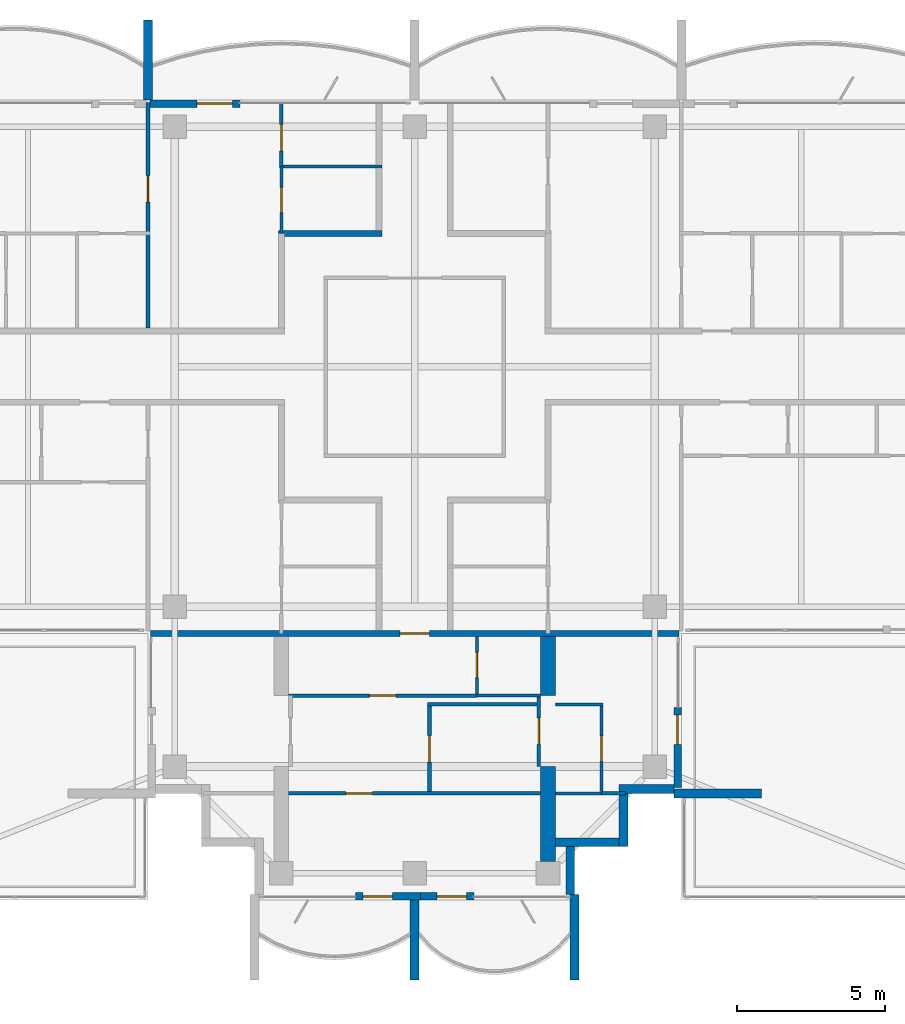
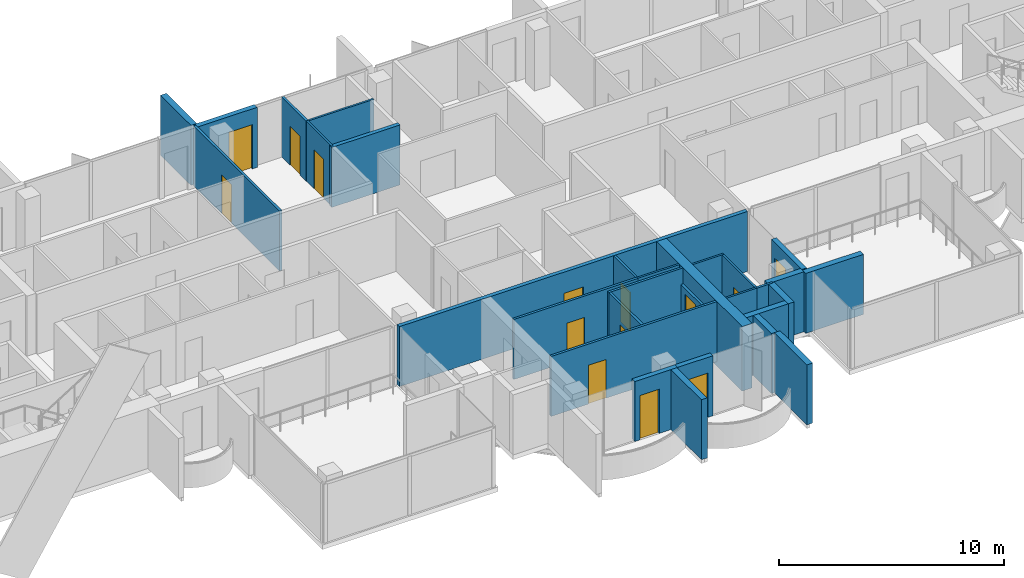
# One storey, part 9 of 16: 30 walls, 14 doors, 14 openings.
"""IFC4 building model written with IfcOpenShell, lengths in metres."""

from ifc_helpers import new_model, si_unit, direction, frame, frame_2d, origin, place, context, subcontext, project, spatial, polyline, rectangle, outline, extrude, material, layer, layer_set, material_profile, profile_set, type_object, element, fill, save


model = new_model("IFC4")

# Units and contexts
model_context = context("Model", 3, precision=1e-05, world=origin(), true_north=direction((0.0, 1.0)))
body_context = subcontext(model_context, "Body", "Model", "MODEL_VIEW")
ifc_project = project(units=[si_unit("LENGTHUNIT", "METRE"), si_unit("AREAUNIT", "SQUARE_METRE"), si_unit("VOLUMEUNIT", "CUBIC_METRE"), si_unit("PLANEANGLEUNIT", "RADIAN"), si_unit("MASSUNIT", "GRAM", prefix="KILO")], contexts=[model_context])

# Site, building, storey
site_placement = place(None, origin())
site = spatial("IfcSite", under=ifc_project, at=site_placement, CompositionType="ELEMENT")
building_placement = place(site_placement, origin())
building = spatial("IfcBuilding", under=site, at=building_placement, Name="Perihelion Cross Residences", CompositionType="ELEMENT")
storey_placement = place(building_placement, frame((0.0, 0.0, 239.5)))
storey = spatial("IfcBuildingStorey", under=building, at=storey_placement, Name="L60", CompositionType="ELEMENT", Elevation=239.5)

# Wall
ifc_material_1 = material(Name="Plasterboard partition")
ifc_layer_1 = layer(ifc_material_1, 0.199951171875)
ifc_layer_set_1 = layer_set([ifc_layer_1], Name="Apartment separation wall 200")
wall_type_1 = type_object("IfcWallType", Name="Apartment separation wall 200", PredefinedType="PARTITIONING", material=ifc_layer_set_1)
wall_1_placement = place(storey_placement, frame((-4.60009765625, 4.5, 0.0), z_axis=(0.0, 0.0, 1.0), x_axis=(1.0, 0.0, 0.0)))
element("IfcWall", 1, at=wall_1_placement, inside=storey, type_object=wall_type_1, Name="Partition L60 W015", PredefinedType="PARTITIONING", context=body_context, shape_type="SweptSolid", body=[
    extrude(rectangle(XDim=3.5, YDim=0.199951171875, at=frame_2d((1.75, 0.0))), origin(), (0.0, 0.0, 1.0), 3.25),
])

# Wall, opening, door
wall_2_placement = place(storey_placement, frame((8.919921875, -9.0, 0.0), z_axis=(0.0, 0.0, 1.0), x_axis=(-1.0, 0.0, 0.0)))
wall_2 = element("IfcWall", 2, at=wall_2_placement, inside=storey, type_object=wall_type_1, Name="Partition L60 W021", PredefinedType="PARTITIONING", context=body_context, shape_type="SweptSolid", body=[
    extrude(rectangle(XDim=17.83984375, YDim=0.199951171875, at=frame_2d((8.919921875, 0.0))), origin(), (0.0, 0.0, 1.0), 3.25),
])
opening_1_placement = place(wall_2_placement, frame((8.419921875, 0.0, 0.0)))
opening_1 = element("IfcOpeningElement", 3, at=opening_1_placement, cuts=wall_2, Name="Opening L60.A33", PredefinedType="OPENING", context=body_context, shape_type="SweptSolid", body=[
    extrude(rectangle(XDim=1.0, YDim=2.10009765625, at=frame_2d((0.5, 1.050048828125))), frame((0.0, 0.10986328125, 0.0), z_axis=(0.0, -1.0, 0.0), x_axis=(1.0, 0.0, 0.0)), (0.0, 0.0, 1.0), 0.219970703125),
])
ifc_material_2 = material(Name="Timber door leaf", Category="wood")
door_type_1 = type_object("IfcDoorType", Name="Flat entrance door 1000 x 2100", OperationType="SINGLE_SWING_LEFT", PredefinedType="DOOR", material=ifc_material_2)
door_1_placement = place(opening_1_placement, origin())
door_1 = element("IfcDoor", 4, at=door_1_placement, inside=storey, type_object=door_type_1, Name="Door L60.A33", OperationType="SINGLE_SWING_LEFT", OverallHeight=2.10009765625, OverallWidth=1.0, PredefinedType="DOOR", context=body_context, shape_type="SweptSolid", body=[
    extrude(rectangle(XDim=1.0, YDim=2.10009765625, at=frame_2d((0.5, 1.050048828125))), frame((0.0, 0.02490234375, 0.0), z_axis=(0.0, -1.0, 0.0), x_axis=(1.0, 0.0, 0.0)), (0.0, 0.0, 1.0), 0.050048828125),
])
fill(opening_1, door_1)

ifc_material_3 = material(Name="Concrete C30/37, bronze-clad", Category="concrete")
ifc_layer_2 = layer(ifc_material_3, 0.25)
ifc_layer_set_2 = layer_set([ifc_layer_2], Name="Bronze-clad pier wall 250")
wall_type_2 = type_object("IfcWallType", Name="Bronze-clad pier wall 250", PredefinedType="SOLIDWALL", material=ifc_layer_set_2)
wall_3_placement = place(storey_placement, frame((-5.89990234375, 8.875, 0.0), z_axis=(0.0, 0.0, 1.0), x_axis=(-1.0, 0.0, 0.0)))
wall_3 = element("IfcWall", 5, at=wall_3_placement, inside=storey, type_object=wall_type_2, Name="Wall FW1 L60 north side east bay 2 pier", PredefinedType="SOLIDWALL", context=body_context, shape_type="SweptSolid", body=[
    extrude(rectangle(XDim=3.0400390625, YDim=0.25, at=frame_2d((1.52001953125, 0.0))), origin(), (0.0, 0.0, 1.0), 3.25),
])
opening_2_placement = place(wall_3_placement, frame((0.25, 0.0, 0.0)))
opening_2 = element("IfcOpeningElement", 6, at=opening_2_placement, cuts=wall_3, Name="Opening L60.E04", PredefinedType="OPENING", context=body_context, shape_type="SweptSolid", body=[
    extrude(rectangle(XDim=1.199951171875, YDim=2.39990234375, at=frame_2d((0.60009765625, 1.199951171875))), frame((0.0, 0.135009765625, 0.0), z_axis=(0.0, -1.0, 0.0), x_axis=(1.0, 0.0, 0.0)), (0.0, 0.0, 1.0), 0.27001953125),
])
ifc_material_4 = material(Name="Bronze anodised aluminium, glazed", Category="aluminium")
door_type_2 = type_object("IfcDoorType", Name="Balcony door 1200 x 2400", OperationType="NOTDEFINED", PredefinedType="DOOR", material=ifc_material_4)
door_2_placement = place(opening_2_placement, origin())
door_2 = element("IfcDoor", 7, at=door_2_placement, inside=storey, type_object=door_type_2, Name="Door L60.E04 north side east bay 2", OperationType="SINGLE_SWING_RIGHT", OverallHeight=2.39990234375, OverallWidth=1.199951171875, PredefinedType="DOOR", context=body_context, shape_type="SweptSolid", body=[
    extrude(rectangle(XDim=1.199951171875, YDim=2.39990234375, at=frame_2d((0.60009765625, 1.199951171875))), frame((0.0, 0.02490234375, 0.0), z_axis=(0.0, -1.0, 0.0), x_axis=(1.0, 0.0, 0.0)), (0.0, 0.0, 1.0), 0.050048828125),
])
fill(opening_2, door_2)

wall_4_placement = place(storey_placement, frame((-2.0, -17.875, 0.0), z_axis=(0.0, 0.0, 1.0), x_axis=(1.0, 0.0, 0.0)))
wall_4 = element("IfcWall", 8, at=wall_4_placement, inside=storey, type_object=wall_type_2, Name="Wall FW1 L60 south tip south bay 1 pier", PredefinedType="SOLIDWALL", context=body_context, shape_type="SweptSolid", body=[
    extrude(rectangle(XDim=2.199951171875, YDim=0.25, at=frame_2d((1.10009765625, 0.0))), origin(), (0.0, 0.0, 1.0), 3.25),
])
opening_3_placement = place(wall_4_placement, frame((0.25, 0.0, 0.0)))
opening_3 = element("IfcOpeningElement", 9, at=opening_3_placement, cuts=wall_4, Name="Opening L60.E10", PredefinedType="OPENING", context=body_context, shape_type="SweptSolid", body=[
    extrude(rectangle(XDim=1.0, YDim=2.39990234375, at=frame_2d((0.5, 1.199951171875))), frame((0.0, 0.135009765625, 0.0), z_axis=(0.0, -1.0, 0.0), x_axis=(1.0, 0.0, 0.0)), (0.0, 0.0, 1.0), 0.27001953125),
])
ifc_material_5 = material(Name="Bronze anodised aluminium, glazed", Category="aluminium")
door_type_3 = type_object("IfcDoorType", Name="Balcony door 1000 x 2400", OperationType="NOTDEFINED", PredefinedType="DOOR", material=ifc_material_5)
door_3_placement = place(opening_3_placement, origin())
door_3 = element("IfcDoor", 10, at=door_3_placement, inside=storey, type_object=door_type_3, Name="Door L60.E10 south tip south bay 1", OperationType="SINGLE_SWING_RIGHT", OverallHeight=2.39990234375, OverallWidth=1.0, PredefinedType="DOOR", context=body_context, shape_type="SweptSolid", body=[
    extrude(rectangle(XDim=1.0, YDim=2.39990234375, at=frame_2d((0.5, 1.199951171875))), frame((0.0, 0.02490234375, 0.0), z_axis=(0.0, -1.0, 0.0), x_axis=(1.0, 0.0, 0.0)), (0.0, 0.0, 1.0), 0.050048828125),
])
fill(opening_3, door_3)

wall_5_placement = place(storey_placement, frame((0.199951171875, -17.875, 0.0), z_axis=(0.0, 0.0, 1.0), x_axis=(1.0, 0.0, 0.0)))
wall_5 = element("IfcWall", 11, at=wall_5_placement, inside=storey, type_object=wall_type_2, Name="Wall FW1 L60 south tip south bay 2 pier", PredefinedType="SOLIDWALL", context=body_context, shape_type="SweptSolid", body=[
    extrude(rectangle(XDim=1.800048828125, YDim=0.25, at=frame_2d((0.89990234375, 0.0))), origin(), (0.0, 0.0, 1.0), 3.25),
])
opening_4_placement = place(wall_5_placement, frame((0.550048828125, 0.0, 0.0)))
opening_4 = element("IfcOpeningElement", 12, at=opening_4_placement, cuts=wall_5, Name="Opening L60.E11", PredefinedType="OPENING", context=body_context, shape_type="SweptSolid", body=[
    extrude(rectangle(XDim=1.0, YDim=2.39990234375, at=frame_2d((0.5, 1.199951171875))), frame((0.0, 0.135009765625, 0.0), z_axis=(0.0, -1.0, 0.0), x_axis=(1.0, 0.0, 0.0)), (0.0, 0.0, 1.0), 0.27001953125),
])
door_4_placement = place(opening_4_placement, origin())
door_4 = element("IfcDoor", 13, at=door_4_placement, inside=storey, type_object=door_type_3, Name="Door L60.E11 south tip south bay 2", OperationType="SINGLE_SWING_LEFT", OverallHeight=2.39990234375, OverallWidth=1.0, PredefinedType="DOOR", context=body_context, shape_type="SweptSolid", body=[
    extrude(rectangle(XDim=1.0, YDim=2.39990234375, at=frame_2d((0.5, 1.199951171875))), frame((0.0, 0.02490234375, 0.0), z_axis=(0.0, -1.0, 0.0), x_axis=(1.0, 0.0, 0.0)), (0.0, 0.0, 1.0), 0.050048828125),
])
fill(opening_4, door_4)

wall_6_placement = place(storey_placement, frame((8.875, -14.199951171875, 0.0), z_axis=(0.0, 0.0, 1.0), x_axis=(0.0, 1.0, 0.0)))
wall_6 = element("IfcWall", 14, at=wall_6_placement, inside=storey, type_object=wall_type_2, Name="Wall FW1 L60 south side east bay 1 pier", PredefinedType="SOLIDWALL", context=body_context, shape_type="SweptSolid", body=[
    extrude(rectangle(XDim=2.699951171875, YDim=0.25, at=frame_2d((1.35009765625, 0.0))), origin(), (0.0, 0.0, 1.0), 3.25),
])
opening_5_placement = place(wall_6_placement, frame((1.449951171875, 0.0, 0.0)))
opening_5 = element("IfcOpeningElement", 15, at=opening_5_placement, cuts=wall_6, Name="Opening L60.E12", PredefinedType="OPENING", context=body_context, shape_type="SweptSolid", body=[
    extrude(rectangle(XDim=1.0, YDim=2.39990234375, at=frame_2d((0.5, 1.199951171875))), frame((0.0, 0.135009765625, 0.0), z_axis=(0.0, -1.0, 0.0), x_axis=(1.0, 0.0, 0.0)), (0.0, 0.0, 1.0), 0.27001953125),
])
door_5_placement = place(opening_5_placement, origin())
door_5 = element("IfcDoor", 16, at=door_5_placement, inside=storey, type_object=door_type_3, Name="Door L60.E12 south side east bay 1", OperationType="SINGLE_SWING_RIGHT", OverallHeight=2.39990234375, OverallWidth=1.0, PredefinedType="DOOR", context=body_context, shape_type="SweptSolid", body=[
    extrude(rectangle(XDim=1.0, YDim=2.39990234375, at=frame_2d((0.5, 1.199951171875))), frame((0.0, 0.02490234375, 0.0), z_axis=(0.0, -1.0, 0.0), x_axis=(1.0, 0.0, 0.0)), (0.0, 0.0, 1.0), 0.050048828125),
])
fill(opening_5, door_5)

# Walls
ifc_material_6 = material(Name="Concrete C30/37, bronze-clad", Category="concrete")
ifc_layer_3 = layer(ifc_material_6, 0.300048828125)
ifc_layer_set_3 = layer_set([ifc_layer_3], Name="Bronze-clad serration wall 300")
wall_type_3 = type_object("IfcWallType", Name="Bronze-clad serration wall 300", PredefinedType="SOLIDWALL", material=ifc_layer_set_3)
wall_7_placement = place(storey_placement, frame((5.25, -17.820068359375, 0.0), z_axis=(0.0, 0.0, 1.0), x_axis=(0.0, 1.0, 0.0)))
element("IfcWall", 17, at=wall_7_placement, inside=storey, type_object=wall_type_3, Name="Wall SR1 L60 south corner south-east 1", PredefinedType="SOLIDWALL", context=body_context, shape_type="SweptSolid", body=[
    extrude(rectangle(XDim=1.6201171875, YDim=0.300048828125, at=frame_2d((0.81005859375, 0.0))), origin(), (0.0, 0.0, 1.0), 3.25),
])
wall_8_placement = place(storey_placement, frame((4.75, -16.050048828125, 0.0), z_axis=(0.0, 0.0, 1.0), x_axis=(1.0, 0.0, 0.0)))
element("IfcWall", 18, at=wall_8_placement, inside=storey, type_object=wall_type_3, Name="Wall SR1 L60 south corner south-east 2", PredefinedType="SOLIDWALL", context=body_context, shape_type="SweptSolid", body=[
    extrude(rectangle(XDim=2.14990234375, YDim=0.300048828125, at=frame_2d((1.074951171875, 0.0))), origin(), (0.0, 0.0, 1.0), 3.25),
])
wall_9_placement = place(storey_placement, frame((7.050048828125, -16.199951171875, 0.0), z_axis=(0.0, 0.0, 1.0), x_axis=(0.0, 1.0, 0.0)))
element("IfcWall", 19, at=wall_9_placement, inside=storey, type_object=wall_type_3, Name="Wall SR1 L60 south corner south-east 3", PredefinedType="SOLIDWALL", context=body_context, shape_type="SweptSolid", body=[
    extrude(rectangle(XDim=1.800048828125, YDim=0.300048828125, at=frame_2d((0.89990234375, 0.0))), origin(), (0.0, 0.0, 1.0), 3.25),
])
wall_10_placement = place(storey_placement, frame((6.89990234375, -14.25, 0.0), z_axis=(0.0, 0.0, 1.0), x_axis=(1.0, 0.0, 0.0)))
element("IfcWall", 20, at=wall_10_placement, inside=storey, type_object=wall_type_3, Name="Wall SR1 L60 south corner south-east 4", PredefinedType="SOLIDWALL", context=body_context, shape_type="SweptSolid", body=[
    extrude(rectangle(XDim=1.85009765625, YDim=0.300048828125, at=frame_2d((0.925048828125, 0.0))), origin(), (0.0, 0.0, 1.0), 3.25),
])

# Wall, opening, door
ifc_material_7 = material(Name="Plasterboard partition")
ifc_layer_4 = layer(ifc_material_7, 0.1201171875)
ifc_layer_set_4 = layer_set([ifc_layer_4], Name="Infill panel 120")
wall_type_4 = type_object("IfcWallType", Name="Infill panel 120", PredefinedType="PARTITIONING", material=ifc_layer_set_4)
wall_11_placement = place(storey_placement, frame((4.18994140625, -11.10009765625, 0.0), z_axis=(0.0, 0.0, 1.0), x_axis=(0.0, -1.0, 0.0)))
wall_11 = element("IfcWall", 21, at=wall_11_placement, inside=storey, type_object=wall_type_4, Name="Partition L60 WI01", PredefinedType="PARTITIONING", context=body_context, shape_type="SweptSolid", body=[
    extrude(rectangle(XDim=2.39990234375, YDim=0.1201171875, at=frame_2d((1.199951171875, 0.0))), origin(), (0.0, 0.0, 1.0), 2.39990234375),
])
opening_6_placement = place(wall_11_placement, frame((0.75, 0.0, 0.0)))
opening_6 = element("IfcOpeningElement", 22, at=opening_6_placement, cuts=wall_11, Name="Opening L60.A43", PredefinedType="OPENING", context=body_context, shape_type="SweptSolid", body=[
    extrude(rectangle(XDim=0.89990234375, YDim=2.10009765625, at=frame_2d((0.449951171875, 1.050048828125))), frame((0.0, 0.070068359375, 0.0), z_axis=(0.0, -1.0, 0.0), x_axis=(1.0, 0.0, 0.0)), (0.0, 0.0, 1.0), 0.14013671875),
])
ifc_material_8 = material(Name="Timber door leaf", Category="wood")
door_type_4 = type_object("IfcDoorType", Name="Interior room door 900 x 2100", OperationType="SINGLE_SWING_LEFT", PredefinedType="DOOR", material=ifc_material_8)
door_6_placement = place(opening_6_placement, origin())
door_6 = element("IfcDoor", 23, at=door_6_placement, inside=storey, type_object=door_type_4, Name="Door L60.A43", OperationType="SINGLE_SWING_RIGHT", OverallHeight=2.10009765625, OverallWidth=0.89990234375, PredefinedType="DOOR", context=body_context, shape_type="SweptSolid", body=[
    extrude(rectangle(XDim=0.89990234375, YDim=2.10009765625, at=frame_2d((0.449951171875, 1.050048828125))), frame((0.0, 0.02490234375, 0.0), z_axis=(0.0, -1.0, 0.0), x_axis=(1.0, 0.0, 0.0)), (0.0, 0.0, 1.0), 0.050048828125),
])
fill(opening_6, door_6)

ifc_material_9 = material(Name="Plasterboard partition")
ifc_layer_5 = layer(ifc_material_9, 0.1201171875)
ifc_layer_set_5 = layer_set([ifc_layer_5], Name="Partition wall 120")
wall_type_5 = type_object("IfcWallType", Name="Partition wall 120", PredefinedType="PARTITIONING", material=ifc_layer_set_5)
wall_12_placement = place(storey_placement, frame((-9.0, 8.919921875, 0.0), z_axis=(0.0, 0.0, 1.0), x_axis=(0.0, -1.0, 0.0)))
wall_12 = element("IfcWall", 24, at=wall_12_placement, inside=storey, type_object=wall_type_5, Name="Partition L60 W045", PredefinedType="PARTITIONING", context=body_context, shape_type="SweptSolid", body=[
    extrude(rectangle(XDim=7.619873046875, YDim=0.1201171875, at=frame_2d((3.81005859375, 0.0))), origin(), (0.0, 0.0, 1.0), 3.25),
])
opening_7_placement = place(wall_12_placement, frame((2.469970703125, 0.0, 0.0)))
opening_7 = element("IfcOpeningElement", 25, at=opening_7_placement, cuts=wall_12, Name="Opening L60.A21", PredefinedType="OPENING", context=body_context, shape_type="SweptSolid", body=[
    extrude(rectangle(XDim=0.89990234375, YDim=2.10009765625, at=frame_2d((0.449951171875, 1.050048828125))), frame((0.0, 0.070068359375, 0.0), z_axis=(0.0, -1.0, 0.0), x_axis=(1.0, 0.0, 0.0)), (0.0, 0.0, 1.0), 0.14013671875),
])
door_7_placement = place(opening_7_placement, origin())
door_7 = element("IfcDoor", 26, at=door_7_placement, inside=storey, type_object=door_type_4, Name="Door L60.A21", OperationType="SINGLE_SWING_LEFT", OverallHeight=2.10009765625, OverallWidth=0.89990234375, PredefinedType="DOOR", context=body_context, shape_type="SweptSolid", body=[
    extrude(rectangle(XDim=0.89990234375, YDim=2.10009765625, at=frame_2d((0.449951171875, 1.050048828125))), frame((0.0, 0.02490234375, 0.0), z_axis=(0.0, -1.0, 0.0), x_axis=(1.0, 0.0, 0.0)), (0.0, 0.0, 1.0), 0.050048828125),
])
fill(opening_7, door_7)

wall_13_placement = place(storey_placement, frame((-4.5, 8.919921875, 0.0), z_axis=(0.0, 0.0, 1.0), x_axis=(0.0, -1.0, 0.0)))
wall_13 = element("IfcWall", 27, at=wall_13_placement, inside=storey, type_object=wall_type_5, Name="Partition L60 W052", PredefinedType="PARTITIONING", context=body_context, shape_type="SweptSolid", body=[
    extrude(rectangle(XDim=2.169921875, YDim=0.1201171875, at=frame_2d((1.0849609375, 0.0))), origin(), (0.0, 0.0, 1.0), 3.25),
])
opening_8_placement = place(wall_13_placement, frame((0.7451171875, 0.0, 0.0)))
opening_8 = element("IfcOpeningElement", 28, at=opening_8_placement, cuts=wall_13, Name="Opening L60.A20", PredefinedType="OPENING", context=body_context, shape_type="SweptSolid", body=[
    extrude(rectangle(XDim=0.89990234375, YDim=2.10009765625, at=frame_2d((0.449951171875, 1.050048828125))), frame((0.0, 0.070068359375, 0.0), z_axis=(0.0, -1.0, 0.0), x_axis=(1.0, 0.0, 0.0)), (0.0, 0.0, 1.0), 0.14013671875),
])
door_8_placement = place(opening_8_placement, origin())
door_8 = element("IfcDoor", 29, at=door_8_placement, inside=storey, type_object=door_type_4, Name="Door L60.A20", OperationType="SINGLE_SWING_RIGHT", OverallHeight=2.10009765625, OverallWidth=0.89990234375, PredefinedType="DOOR", context=body_context, shape_type="SweptSolid", body=[
    extrude(rectangle(XDim=0.89990234375, YDim=2.10009765625, at=frame_2d((0.449951171875, 1.050048828125))), frame((0.0, 0.02490234375, 0.0), z_axis=(0.0, -1.0, 0.0), x_axis=(1.0, 0.0, 0.0)), (0.0, 0.0, 1.0), 0.050048828125),
])
fill(opening_8, door_8)

wall_14_placement = place(storey_placement, frame((2.10009765625, -11.10009765625, 0.0), z_axis=(0.0, 0.0, 1.0), x_axis=(-1.0, 0.0, 0.0)))
wall_14 = element("IfcWall", 30, at=wall_14_placement, inside=storey, type_object=wall_type_5, Name="Partition L60 W066", PredefinedType="PARTITIONING", context=body_context, shape_type="SweptSolid", body=[
    extrude(rectangle(XDim=6.35009765625, YDim=0.1201171875, at=frame_2d((3.175048828125, 0.0))), origin(), (0.0, 0.0, 1.0), 3.25),
])
opening_9_placement = place(wall_14_placement, frame((2.72509765625, 0.0, 0.0)))
opening_9 = element("IfcOpeningElement", 31, at=opening_9_placement, cuts=wall_14, Name="Opening L60.A35", PredefinedType="OPENING", context=body_context, shape_type="SweptSolid", body=[
    extrude(rectangle(XDim=0.89990234375, YDim=2.10009765625, at=frame_2d((0.449951171875, 1.050048828125))), frame((0.0, 0.070068359375, 0.0), z_axis=(0.0, -1.0, 0.0), x_axis=(1.0, 0.0, 0.0)), (0.0, 0.0, 1.0), 0.14013671875),
])
door_9_placement = place(opening_9_placement, origin())
door_9 = element("IfcDoor", 32, at=door_9_placement, inside=storey, type_object=door_type_4, Name="Door L60.A35", OperationType="SINGLE_SWING_LEFT", OverallHeight=2.10009765625, OverallWidth=0.89990234375, PredefinedType="DOOR", context=body_context, shape_type="SweptSolid", body=[
    extrude(rectangle(XDim=0.89990234375, YDim=2.10009765625, at=frame_2d((0.449951171875, 1.050048828125))), frame((0.0, 0.02490234375, 0.0), z_axis=(0.0, -1.0, 0.0), x_axis=(1.0, 0.0, 0.0)), (0.0, 0.0, 1.0), 0.050048828125),
])
fill(opening_9, door_9)

# Wall
wall_15_placement = place(storey_placement, frame((4.25, -11.39990234375, 0.0), z_axis=(0.0, 0.0, 1.0), x_axis=(-1.0, 0.0, 0.0)))
element("IfcWall", 33, at=wall_15_placement, inside=storey, type_object=wall_type_5, Name="Partition L60 W068", PredefinedType="PARTITIONING", context=body_context, shape_type="SweptSolid", body=[
    extrude(rectangle(XDim=3.81005859375, YDim=0.1201171875, at=frame_2d((1.905029296875, 0.0))), origin(), (0.0, 0.0, 1.0), 3.25),
])

# Wall, opening, door
wall_16_placement = place(storey_placement, frame((0.5, -11.4599609375, 0.0), z_axis=(0.0, 0.0, 1.0), x_axis=(0.0, -1.0, 0.0)))
wall_16 = element("IfcWall", 34, at=wall_16_placement, inside=storey, type_object=wall_type_5, Name="Partition L60 W069", PredefinedType="PARTITIONING", context=body_context, shape_type="SweptSolid", body=[
    extrude(rectangle(XDim=2.880126953125, YDim=0.1201171875, at=frame_2d((1.43994140625, 0.0))), origin(), (0.0, 0.0, 1.0), 3.25),
])
opening_10_placement = place(wall_16_placement, frame((0.989990234375, 0.0, 0.0)))
opening_10 = element("IfcOpeningElement", 35, at=opening_10_placement, cuts=wall_16, Name="Opening L60.A36", PredefinedType="OPENING", context=body_context, shape_type="SweptSolid", body=[
    extrude(rectangle(XDim=0.89990234375, YDim=2.10009765625, at=frame_2d((0.449951171875, 1.050048828125))), frame((0.0, 0.070068359375, 0.0), z_axis=(0.0, -1.0, 0.0), x_axis=(1.0, 0.0, 0.0)), (0.0, 0.0, 1.0), 0.14013671875),
])
door_10_placement = place(opening_10_placement, origin())
door_10 = element("IfcDoor", 36, at=door_10_placement, inside=storey, type_object=door_type_4, Name="Door L60.A36", OperationType="SINGLE_SWING_LEFT", OverallHeight=2.10009765625, OverallWidth=0.89990234375, PredefinedType="DOOR", context=body_context, shape_type="SweptSolid", body=[
    extrude(rectangle(XDim=0.89990234375, YDim=2.10009765625, at=frame_2d((0.449951171875, 1.050048828125))), frame((0.0, 0.02490234375, 0.0), z_axis=(0.0, -1.0, 0.0), x_axis=(1.0, 0.0, 0.0)), (0.0, 0.0, 1.0), 0.050048828125),
])
fill(opening_10, door_10)

wall_17_placement = place(storey_placement, frame((4.25, -14.39990234375, 0.0), z_axis=(0.0, 0.0, 1.0), x_axis=(-1.0, 0.0, 0.0)))
wall_17 = element("IfcWall", 37, at=wall_17_placement, inside=storey, type_object=wall_type_5, Name="Partition L60 W070", PredefinedType="PARTITIONING", context=body_context, shape_type="SweptSolid", body=[
    extrude(rectangle(XDim=8.5, YDim=0.1201171875, at=frame_2d((4.25, 0.0))), origin(), (0.0, 0.0, 1.0), 3.25),
])
opening_11_placement = place(wall_17_placement, frame((5.675048828125, 0.0, 0.0)))
opening_11 = element("IfcOpeningElement", 38, at=opening_11_placement, cuts=wall_17, Name="Opening L60.A37", PredefinedType="OPENING", context=body_context, shape_type="SweptSolid", body=[
    extrude(rectangle(XDim=0.89990234375, YDim=2.10009765625, at=frame_2d((0.449951171875, 1.050048828125))), frame((0.0, 0.070068359375, 0.0), z_axis=(0.0, -1.0, 0.0), x_axis=(1.0, 0.0, 0.0)), (0.0, 0.0, 1.0), 0.14013671875),
])
door_11_placement = place(opening_11_placement, origin())
door_11 = element("IfcDoor", 39, at=door_11_placement, inside=storey, type_object=door_type_4, Name="Door L60.A37", OperationType="SINGLE_SWING_LEFT", OverallHeight=2.10009765625, OverallWidth=0.89990234375, PredefinedType="DOOR", context=body_context, shape_type="SweptSolid", body=[
    extrude(rectangle(XDim=0.89990234375, YDim=2.10009765625, at=frame_2d((0.449951171875, 1.050048828125))), frame((0.0, 0.02490234375, 0.0), z_axis=(0.0, -1.0, 0.0), x_axis=(1.0, 0.0, 0.0)), (0.0, 0.0, 1.0), 0.050048828125),
])
fill(opening_11, door_11)

# Walls
wall_18_placement = place(storey_placement, frame((7.1201171875, -14.39990234375, 0.0), z_axis=(0.0, 0.0, 1.0), x_axis=(-1.0, 0.0, 0.0)))
element("IfcWall", 40, at=wall_18_placement, inside=storey, type_object=wall_type_5, Name="Partition L60 W073", PredefinedType="PARTITIONING", context=body_context, shape_type="SweptSolid", body=[
    extrude(rectangle(XDim=0.820068359375, YDim=0.1201171875, at=frame_2d((0.41015625, 0.0))), origin(), (0.0, 0.0, 1.0), 3.25),
])
ifc_material_10 = material(Name="Precast concrete C50/60", Category="concrete")
ifc_layer_6 = layer(ifc_material_10, 0.300048828125)
ifc_layer_set_6 = layer_set([ifc_layer_6], Name="Precast concrete C50/60 blade wall 300")
wall_type_6 = type_object("IfcWallType", Name="Precast concrete C50/60 blade wall 300", PredefinedType="SOLIDWALL", material=ifc_layer_set_6)
for number, where, z_axis, x_axis, name in (
    (41, (-9.0, 9.0, 0.0), (0.0, 0.0, 1.0), (0.0, 1.0, 0.0), "Wall BL1 L60 no. 7"),
    (42, (0.0, -18.0, 0.0), (0.0, 0.0, 1.0), (0.0, -1.0, 0.0), "Wall BL1 L60 no. 8"),
):
    element("IfcWall", number, at=place(storey_placement, frame(where, z_axis=z_axis, x_axis=x_axis)), inside=storey, type_object=wall_type_6, Name=name, PredefinedType="SOLIDWALL", context=body_context, shape_type="SweptSolid", body=[
        extrude(rectangle(XDim=2.699951171875, YDim=0.300048828125, at=frame_2d((1.35009765625, 0.0))), origin(), (0.0, 0.0, 1.0), 3.25),
    ])
wall_19_placement = place(storey_placement, frame((5.39990234375, -17.820068359375, 0.0), z_axis=(0.0, 0.0, 1.0), x_axis=(0.0, -1.0, 0.0)))
element("IfcWall", 43, at=wall_19_placement, inside=storey, type_object=wall_type_6, Name="Wall BL1 L60 no. 14", PredefinedType="SOLIDWALL", context=body_context, shape_type="SweptSolid", body=[
    extrude(rectangle(XDim=2.8798828125, YDim=0.300048828125, at=frame_2d((1.43994140625, 0.0))), origin(), (0.0, 0.0, 1.0), 3.25),
])
wall_20_placement = place(storey_placement, frame((8.75, -14.39990234375, 0.0), z_axis=(0.0, 0.0, 1.0), x_axis=(1.0, 0.0, 0.0)))
element("IfcWall", 44, at=wall_20_placement, inside=storey, type_object=wall_type_6, Name="Wall BL1 L60 no. 15", PredefinedType="SOLIDWALL", context=body_context, shape_type="SweptSolid", body=[
    extrude(rectangle(XDim=2.949951171875, YDim=0.300048828125, at=frame_2d((1.47509765625, 0.0))), origin(), (0.0, 0.0, 1.0), 3.25),
])
ifc_material_11 = material(Name="Concrete C50/60", Category="concrete")
ifc_material_profile = material_profile(ifc_material_11, outline(polyline([(0.0, 0.0), (3.199951171875, 0.0), (3.199951171875, 2.64990234375), (5.60009765625, 2.64990234375), (5.60009765625, 0.0), (7.699951171875, 0.0), (7.699951171875, 3.5), (0.0, 3.5), (0.0, 0.0)])), Name="Tip spine wall")
ifc_profile_set = profile_set([ifc_material_profile], Name="Concrete C50/60")
wall_type_7 = type_object("IfcWallType", Name="Tip spine wall 500 with 1 door openings 7700 long 3500 high concrete C50/60", PredefinedType="SHEAR", material=ifc_profile_set)
wall_21_placement = place(storey_placement, frame((4.25, -16.699951171875, -0.25), z_axis=(1.0, 0.0, 0.0), x_axis=(0.0, 1.0, 0.0)))
element("IfcWall", 45, at=wall_21_placement, inside=storey, type_object=wall_type_7, Name="Shear wall SW45 L60 south east", PredefinedType="SHEAR", context=body_context, shape_type="SweptSolid", body=[
    extrude(outline(polyline([(0.0, 0.0), (3.199951171875, 0.0), (3.199951171875, 2.64990234375), (5.60009765625, 2.64990234375), (5.60009765625, 0.0), (7.699951171875, 0.0), (7.699951171875, 3.5), (0.0, 3.5), (0.0, 0.0)])), origin(), (0.0, 0.0, 1.0), 0.5),
])

# Wall, opening, door
ifc_material_12 = material(Name="Plasterboard partition")
ifc_layer_7 = layer(ifc_material_12, 0.10009765625)
ifc_layer_set_7 = layer_set([ifc_layer_7], Name="Wet room wall 100")
wall_type_8 = type_object("IfcWallType", Name="Wet room wall 100", PredefinedType="PARTITIONING", material=ifc_layer_set_7)
wall_22_placement = place(storey_placement, frame((-4.5, 6.75, 0.0), z_axis=(0.0, 0.0, 1.0), x_axis=(0.0, -1.0, 0.0)))
wall_22 = element("IfcWall", 46, at=wall_22_placement, inside=storey, type_object=wall_type_8, Name="Partition L60 W051", PredefinedType="PARTITIONING", context=body_context, shape_type="SweptSolid", body=[
    extrude(rectangle(XDim=2.25, YDim=0.10009765625, at=frame_2d((1.125, 0.0))), origin(), (0.0, 0.0, 1.0), 3.25),
])
opening_12_placement = place(wall_22_placement, frame((0.699951171875, 0.0, 0.0)))
opening_12 = element("IfcOpeningElement", 47, at=opening_12_placement, cuts=wall_22, Name="Opening L60.A22", PredefinedType="OPENING", context=body_context, shape_type="SweptSolid", body=[
    extrude(rectangle(XDim=0.85009765625, YDim=2.10009765625, at=frame_2d((0.425048828125, 1.050048828125))), frame((0.0, 0.06005859375, 0.0), z_axis=(0.0, -1.0, 0.0), x_axis=(1.0, 0.0, 0.0)), (0.0, 0.0, 1.0), 0.1201171875),
])
ifc_material_13 = material(Name="Timber door leaf", Category="wood")
door_type_5 = type_object("IfcDoorType", Name="Interior bathroom door 850 x 2100", OperationType="SINGLE_SWING_LEFT", PredefinedType="DOOR", material=ifc_material_13)
door_12_placement = place(opening_12_placement, origin())
door_12 = element("IfcDoor", 48, at=door_12_placement, inside=storey, type_object=door_type_5, Name="Door L60.A22", OperationType="SINGLE_SWING_RIGHT", OverallHeight=2.10009765625, OverallWidth=0.85009765625, PredefinedType="DOOR", context=body_context, shape_type="SweptSolid", body=[
    extrude(rectangle(XDim=0.85009765625, YDim=2.10009765625, at=frame_2d((0.425048828125, 1.050048828125))), frame((0.0, 0.02490234375, 0.0), z_axis=(0.0, -1.0, 0.0), x_axis=(1.0, 0.0, 0.0)), (0.0, 0.0, 1.0), 0.050048828125),
])
fill(opening_12, door_12)

# Wall
wall_23_placement = place(storey_placement, frame((-4.56005859375, 6.75, 0.0), z_axis=(0.0, 0.0, 1.0), x_axis=(1.0, 0.0, 0.0)))
element("IfcWall", 49, at=wall_23_placement, inside=storey, type_object=wall_type_8, Name="Partition L60 W053", PredefinedType="PARTITIONING", context=body_context, shape_type="SweptSolid", body=[
    extrude(rectangle(XDim=3.4599609375, YDim=0.10009765625, at=frame_2d((1.72998046875, 0.0))), origin(), (0.0, 0.0, 1.0), 3.25),
])

# Wall, opening, door
wall_24_placement = place(storey_placement, frame((2.10009765625, -9.10009765625, 0.0), z_axis=(0.0, 0.0, 1.0), x_axis=(0.0, -1.0, 0.0)))
wall_24 = element("IfcWall", 50, at=wall_24_placement, inside=storey, type_object=wall_type_8, Name="Partition L60 W065", PredefinedType="PARTITIONING", context=body_context, shape_type="SweptSolid", body=[
    extrude(rectangle(XDim=1.93994140625, YDim=0.10009765625, at=frame_2d((0.969970703125, 0.0))), origin(), (0.0, 0.0, 1.0), 3.25),
])
opening_13_placement = place(wall_24_placement, frame((0.544921875, 0.0, 0.0)))
opening_13 = element("IfcOpeningElement", 51, at=opening_13_placement, cuts=wall_24, Name="Opening L60.A34", PredefinedType="OPENING", context=body_context, shape_type="SweptSolid", body=[
    extrude(rectangle(XDim=0.85009765625, YDim=2.10009765625, at=frame_2d((0.425048828125, 1.050048828125))), frame((0.0, 0.06005859375, 0.0), z_axis=(0.0, -1.0, 0.0), x_axis=(1.0, 0.0, 0.0)), (0.0, 0.0, 1.0), 0.1201171875),
])
door_13_placement = place(opening_13_placement, origin())
door_13 = element("IfcDoor", 52, at=door_13_placement, inside=storey, type_object=door_type_5, Name="Door L60.A34", OperationType="SINGLE_SWING_RIGHT", OverallHeight=2.10009765625, OverallWidth=0.85009765625, PredefinedType="DOOR", context=body_context, shape_type="SweptSolid", body=[
    extrude(rectangle(XDim=0.85009765625, YDim=2.10009765625, at=frame_2d((0.425048828125, 1.050048828125))), frame((0.0, 0.02490234375, 0.0), z_axis=(0.0, -1.0, 0.0), x_axis=(1.0, 0.0, 0.0)), (0.0, 0.0, 1.0), 0.050048828125),
])
fill(opening_13, door_13)

# Wall
wall_25_placement = place(storey_placement, frame((4.25, -11.10009765625, 0.0), z_axis=(0.0, 0.0, 1.0), x_axis=(-1.0, 0.0, 0.0)))
element("IfcWall", 53, at=wall_25_placement, inside=storey, type_object=wall_type_8, Name="Partition L60 W067", PredefinedType="PARTITIONING", context=body_context, shape_type="SweptSolid", body=[
    extrude(rectangle(XDim=2.14990234375, YDim=0.10009765625, at=frame_2d((1.074951171875, 0.0))), origin(), (0.0, 0.0, 1.0), 3.25),
])

# Wall, opening, door
wall_26_placement = place(storey_placement, frame((6.300048828125, -14.340087890625, 0.0), z_axis=(0.0, 0.0, 1.0), x_axis=(0.0, 1.0, 0.0)))
wall_26 = element("IfcWall", 54, at=wall_26_placement, inside=storey, type_object=wall_type_8, Name="Partition L60 W071", PredefinedType="PARTITIONING", context=body_context, shape_type="SweptSolid", body=[
    extrude(rectangle(XDim=2.89013671875, YDim=0.10009765625, at=frame_2d((1.445068359375, 0.0))), origin(), (0.0, 0.0, 1.0), 3.25),
])
opening_14_placement = place(wall_26_placement, frame((1.02001953125, 0.0, 0.0)))
opening_14 = element("IfcOpeningElement", 55, at=opening_14_placement, cuts=wall_26, Name="Opening L60.A38", PredefinedType="OPENING", context=body_context, shape_type="SweptSolid", body=[
    extrude(rectangle(XDim=0.85009765625, YDim=2.10009765625, at=frame_2d((0.425048828125, 1.050048828125))), frame((0.0, 0.06005859375, 0.0), z_axis=(0.0, -1.0, 0.0), x_axis=(1.0, 0.0, 0.0)), (0.0, 0.0, 1.0), 0.1201171875),
])
door_14_placement = place(opening_14_placement, origin())
door_14 = element("IfcDoor", 56, at=door_14_placement, inside=storey, type_object=door_type_5, Name="Door L60.A38", OperationType="SINGLE_SWING_RIGHT", OverallHeight=2.10009765625, OverallWidth=0.85009765625, PredefinedType="DOOR", context=body_context, shape_type="SweptSolid", body=[
    extrude(rectangle(XDim=0.85009765625, YDim=2.10009765625, at=frame_2d((0.425048828125, 1.050048828125))), frame((0.0, 0.02490234375, 0.0), z_axis=(0.0, -1.0, 0.0), x_axis=(1.0, 0.0, 0.0)), (0.0, 0.0, 1.0), 0.050048828125),
])
fill(opening_14, door_14)

# Walls
wall_27_placement = place(storey_placement, frame((6.35009765625, -11.39990234375, 0.0), z_axis=(0.0, 0.0, 1.0), x_axis=(-1.0, 0.0, 0.0)))
element("IfcWall", 57, at=wall_27_placement, inside=storey, type_object=wall_type_8, Name="Partition L60 W072", PredefinedType="PARTITIONING", context=body_context, shape_type="SweptSolid", body=[
    extrude(rectangle(XDim=1.60009765625, YDim=0.10009765625, at=frame_2d((0.800048828125, 0.0))), origin(), (0.0, 0.0, 1.0), 3.25),
])
wall_28_placement = place(storey_placement, frame((6.300048828125, -14.39990234375, 0.0), z_axis=(0.0, 0.0, 1.0), x_axis=(-1.0, 0.0, 0.0)))
element("IfcWall", 58, at=wall_28_placement, inside=storey, type_object=wall_type_8, Name="Partition L60 W074", PredefinedType="PARTITIONING", context=body_context, shape_type="SweptSolid", body=[
    extrude(rectangle(XDim=1.550048828125, YDim=0.10009765625, at=frame_2d((0.77490234375, 0.0))), origin(), (0.0, 0.0, 1.0), 3.25),
])

save(model, "model.ifc")
